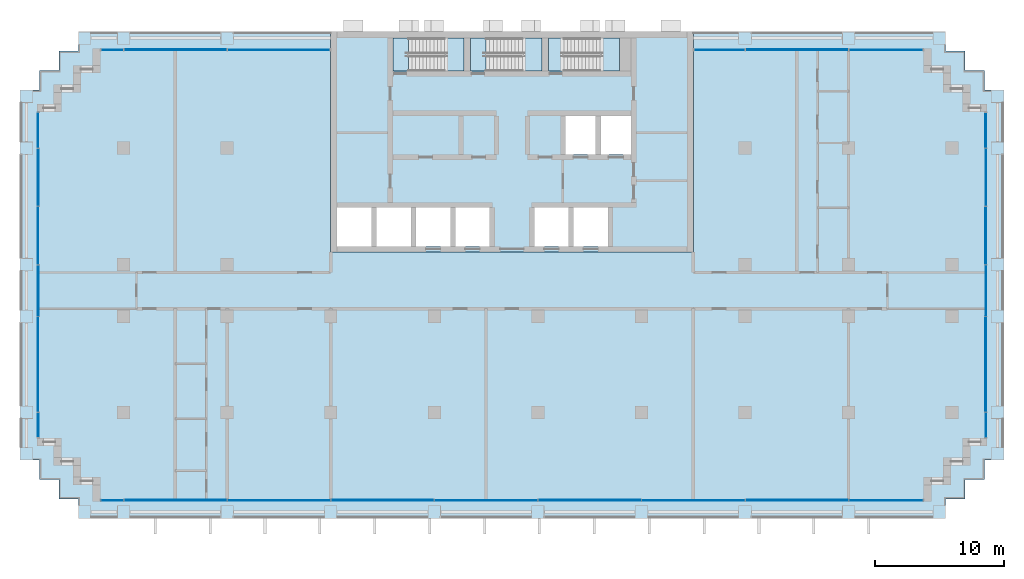
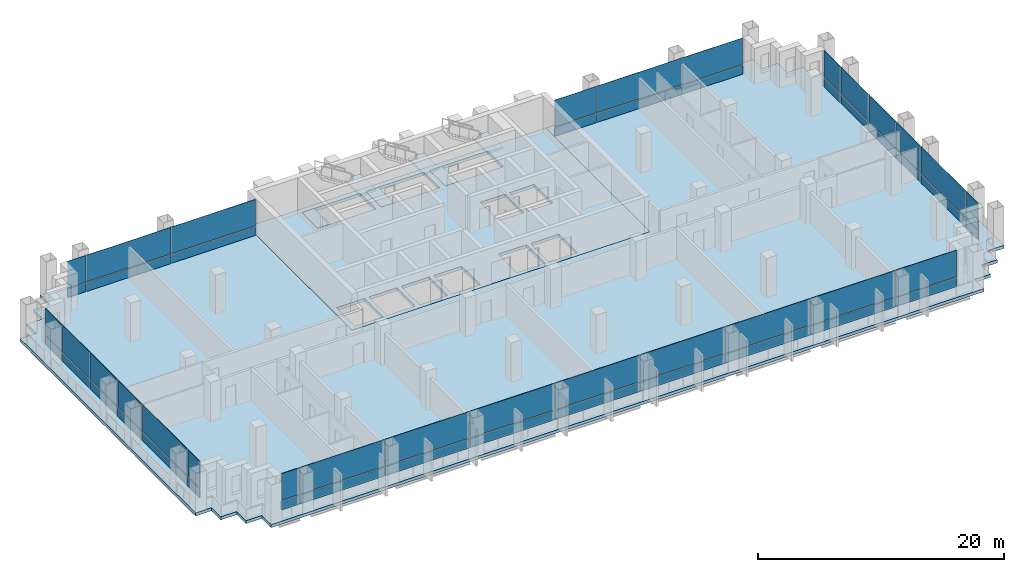
# One storey, part 6 of 13: 54 plates, 8 slabs, 8 elements without a shape of their own.
"""IFC4 building model written with IfcOpenShell, lengths in metres."""

from ifc_helpers import new_model, si_unit, direction, frame, origin, origin_2d, place, context, subcontext, project, spatial, polyline, rectangle, outline, extrude, material, layer, layer_set, type_object, element, aggregate, save


model = new_model("IFC4")

# Units and contexts
model_context = context("Model", 3, precision=1e-05, world=origin(), true_north=direction((0.0, 1.0)))
body_context = subcontext(model_context, "Body", "Model", "MODEL_VIEW")
ifc_project = project(units=[si_unit("LENGTHUNIT", "METRE"), si_unit("AREAUNIT", "SQUARE_METRE"), si_unit("VOLUMEUNIT", "CUBIC_METRE"), si_unit("PLANEANGLEUNIT", "RADIAN"), si_unit("MASSUNIT", "GRAM", prefix="KILO")], contexts=[model_context])

# Site, building, storey
site_placement = place(None, origin())
site = spatial("IfcSite", under=ifc_project, at=site_placement, CompositionType="ELEMENT")
building_placement = place(site_placement, origin())
building = spatial("IfcBuilding", under=site, at=building_placement, Name="Vidyagriha Tower", CompositionType="ELEMENT")
storey_placement = place(building_placement, frame((0.0, 0.0, 33.800048828125)))
storey = spatial("IfcBuildingStorey", under=building, at=storey_placement, Name="L08", CompositionType="ELEMENT", Elevation=33.800048828125)

# Curtain wall, plates
ifc_material_1 = material(Name="Aluminium and glass curtain wall", Category="aluminium")
curtain_wall_type = type_object("IfcCurtainWallType", Name="Classroom skin unitised curtain wall", PredefinedType="USERDEFINED", material=ifc_material_1)
curtain_wall_1_placement = place(storey_placement, origin())
curtain_wall_1 = element("IfcCurtainWall", 1, at=curtain_wall_1_placement, inside=storey, type_object=curtain_wall_type, Name="CW2 classroom skin", ObjectType="UNITISED", PredefinedType="USERDEFINED")
ifc_material_2 = material(Name="Glass dark ceramic-fritted spandrel", Category="glass")
ifc_layer_1 = layer(ifc_material_2, 0.0400390625)
ifc_layer_set_1 = layer_set([ifc_layer_1], Name="Glass dark ceramic-fritted spandrel")
plate_type_1 = type_object("IfcPlateType", Name="Ceramic-fritted spandrel panel", PredefinedType="CURTAIN_PANEL", material=ifc_layer_set_1)
plate_1_placement = place(storey_placement, frame((28.882568359375, 18.60009765625, 0.0), z_axis=(0.0, 0.0, 1.0), x_axis=(-1.0, 0.0, 0.0)))
plate_1 = element("IfcPlate", 2, at=plate_1_placement, type_object=plate_type_1, Name="CW2 panel 1.1", PredefinedType="CURTAIN_PANEL", context=body_context, shape_type="SweptSolid", body=[
    extrude(rectangle(XDim=5.695068359375, YDim=0.0400390625, at=origin_2d()), origin(), (0.0, 0.0, 1.0), 0.85009765625),
])
plate_2_placement = place(storey_placement, frame((16.017578125, 18.60009765625, 0.0), z_axis=(0.0, 0.0, 1.0), x_axis=(-1.0, 0.0, 0.0)))
plate_2 = element("IfcPlate", 3, at=plate_2_placement, type_object=plate_type_1, Name="CW2 panel 3.1", PredefinedType="CURTAIN_PANEL", context=body_context, shape_type="SweptSolid", body=[
    extrude(rectangle(XDim=3.89501953125, YDim=0.0400390625, at=origin_2d()), origin(), (0.0, 0.0, 1.0), 0.85009765625),
])

curtain_wall_2_placement = place(storey_placement, origin())
curtain_wall_2 = element("IfcCurtainWall", 4, at=curtain_wall_2_placement, inside=storey, type_object=curtain_wall_type, Name="CW2 classroom skin", ObjectType="UNITISED", PredefinedType="USERDEFINED")
plate_3_placement = place(storey_placement, frame((-18.017578125, 18.60009765625, 0.0), z_axis=(0.0, 0.0, 1.0), x_axis=(-1.0, 0.0, 0.0)))
plate_3 = element("IfcPlate", 5, at=plate_3_placement, type_object=plate_type_1, Name="CW2 panel 1.1", PredefinedType="CURTAIN_PANEL", context=body_context, shape_type="SweptSolid", body=[
    extrude(rectangle(XDim=7.89501953125, YDim=0.0400390625, at=origin_2d()), origin(), (0.0, 0.0, 1.0), 0.85009765625),
])
plate_4_placement = place(storey_placement, frame((-30.882568359375, 18.60009765625, 0.0), z_axis=(0.0, 0.0, 1.0), x_axis=(-1.0, 0.0, 0.0)))
plate_4 = element("IfcPlate", 6, at=plate_4_placement, type_object=plate_type_1, Name="CW2 panel 3.1", PredefinedType="CURTAIN_PANEL", context=body_context, shape_type="SweptSolid", body=[
    extrude(rectangle(XDim=1.695068359375, YDim=0.0400390625, at=origin_2d()), origin(), (0.0, 0.0, 1.0), 0.85009765625),
])

curtain_wall_3_placement = place(storey_placement, origin())
curtain_wall_3 = element("IfcCurtainWall", 7, at=curtain_wall_3_placement, inside=storey, type_object=curtain_wall_type, Name="CW2 classroom skin", ObjectType="UNITISED", PredefinedType="USERDEFINED")
plate_5_placement = place(storey_placement, frame((-36.60009765625, 12.382568359375, 0.0), z_axis=(0.0, 0.0, 1.0), x_axis=(0.0, -1.0, 0.0)))
plate_5 = element("IfcPlate", 8, at=plate_5_placement, type_object=plate_type_1, Name="CW2 panel 1.1", PredefinedType="CURTAIN_PANEL", context=body_context, shape_type="SweptSolid", body=[
    extrude(rectangle(XDim=2.695068359375, YDim=0.0400390625, at=origin_2d()), origin(), (0.0, 0.0, 1.0), 0.85009765625),
])
plate_6_placement = place(storey_placement, frame((-36.60009765625, 4.25, 0.0), z_axis=(0.0, 0.0, 1.0), x_axis=(0.0, -1.0, 0.0)))
plate_6 = element("IfcPlate", 9, at=plate_6_placement, type_object=plate_type_1, Name="CW2 panel 3.1", PredefinedType="CURTAIN_PANEL", context=body_context, shape_type="SweptSolid", body=[
    extrude(rectangle(XDim=4.429931640625, YDim=0.0400390625, at=origin_2d()), origin(), (0.0, 0.0, 1.0), 0.85009765625),
])
plate_7_placement = place(storey_placement, frame((-36.60009765625, -5.699951171875, 0.0), z_axis=(0.0, 0.0, 1.0), x_axis=(0.0, -1.0, 0.0)))
plate_7 = element("IfcPlate", 10, at=plate_7_placement, type_object=plate_type_1, Name="CW2 panel 5.1", PredefinedType="CURTAIN_PANEL", context=body_context, shape_type="SweptSolid", body=[
    extrude(rectangle(XDim=7.330078125, YDim=0.0400390625, at=origin_2d()), origin(), (0.0, 0.0, 1.0), 0.85009765625),
])

curtain_wall_4_placement = place(storey_placement, origin())
curtain_wall_4 = element("IfcCurtainWall", 11, at=curtain_wall_4_placement, inside=storey, type_object=curtain_wall_type, Name="CW2 classroom skin", ObjectType="UNITISED", PredefinedType="USERDEFINED")
plate_8_placement = place(storey_placement, frame((-30.882568359375, -16.199951171875, 0.0)))
plate_8 = element("IfcPlate", 12, at=plate_8_placement, type_object=plate_type_1, Name="CW2 panel 1.1", PredefinedType="CURTAIN_PANEL", context=body_context, shape_type="SweptSolid", body=[
    extrude(rectangle(XDim=1.695068359375, YDim=0.0400390625, at=origin_2d()), origin(), (0.0, 0.0, 1.0), 0.85009765625),
])
plate_9_placement = place(storey_placement, frame((-18.0, -16.199951171875, 0.0)))
plate_9 = element("IfcPlate", 13, at=plate_9_placement, type_object=plate_type_1, Name="CW2 panel 3.1", PredefinedType="CURTAIN_PANEL", context=body_context, shape_type="SweptSolid", body=[
    extrude(rectangle(XDim=7.929931640625, YDim=0.0400390625, at=origin_2d()), origin(), (0.0, 0.0, 1.0), 0.85009765625),
])
plate_10_placement = place(storey_placement, frame((-2.0, -16.199951171875, 0.0)))
plate_10 = element("IfcPlate", 14, at=plate_10_placement, type_object=plate_type_1, Name="CW2 panel 5.1", PredefinedType="CURTAIN_PANEL", context=body_context, shape_type="SweptSolid", body=[
    extrude(rectangle(XDim=7.929931640625, YDim=0.0400390625, at=origin_2d()), origin(), (0.0, 0.0, 1.0), 0.85009765625),
])
plate_11_placement = place(storey_placement, frame((14.0, -16.199951171875, 0.0)))
plate_11 = element("IfcPlate", 15, at=plate_11_placement, type_object=plate_type_1, Name="CW2 panel 7.1", PredefinedType="CURTAIN_PANEL", context=body_context, shape_type="SweptSolid", body=[
    extrude(rectangle(XDim=7.929931640625, YDim=0.0400390625, at=origin_2d()), origin(), (0.0, 0.0, 1.0), 0.85009765625),
])
plate_12_placement = place(storey_placement, frame((28.882568359375, -16.199951171875, 0.0)))
plate_12 = element("IfcPlate", 16, at=plate_12_placement, type_object=plate_type_1, Name="CW2 panel 9.1", PredefinedType="CURTAIN_PANEL", context=body_context, shape_type="SweptSolid", body=[
    extrude(rectangle(XDim=5.695068359375, YDim=0.0400390625, at=origin_2d()), origin(), (0.0, 0.0, 1.0), 0.85009765625),
])

curtain_wall_5_placement = place(storey_placement, origin())
curtain_wall_5 = element("IfcCurtainWall", 17, at=curtain_wall_5_placement, inside=storey, type_object=curtain_wall_type, Name="CW2 classroom skin", ObjectType="UNITISED", PredefinedType="USERDEFINED")
plate_13_placement = place(storey_placement, frame((36.60009765625, -10.382568359375, 0.0), z_axis=(0.0, 0.0, 1.0), x_axis=(0.0, 1.0, 0.0)))
plate_13 = element("IfcPlate", 18, at=plate_13_placement, type_object=plate_type_1, Name="CW2 panel 1.1", PredefinedType="CURTAIN_PANEL", context=body_context, shape_type="SweptSolid", body=[
    extrude(rectangle(XDim=1.89501953125, YDim=0.0400390625, at=origin_2d()), origin(), (0.0, 0.0, 1.0), 0.85009765625),
])
plate_14_placement = place(storey_placement, frame((36.60009765625, 0.0, 0.0), z_axis=(0.0, 0.0, 1.0), x_axis=(0.0, 1.0, 0.0)))
plate_14 = element("IfcPlate", 19, at=plate_14_placement, type_object=plate_type_1, Name="CW2 panel 3.1", PredefinedType="CURTAIN_PANEL", context=body_context, shape_type="SweptSolid", body=[
    extrude(rectangle(XDim=3.929931640625, YDim=0.0400390625, at=origin_2d()), origin(), (0.0, 0.0, 1.0), 0.85009765625),
])
plate_15_placement = place(storey_placement, frame((36.60009765625, 8.75, 0.0), z_axis=(0.0, 0.0, 1.0), x_axis=(0.0, 1.0, 0.0)))
plate_15 = element("IfcPlate", 20, at=plate_15_placement, type_object=plate_type_1, Name="CW2 panel 5.1", PredefinedType="CURTAIN_PANEL", context=body_context, shape_type="SweptSolid", body=[
    extrude(rectangle(XDim=4.429931640625, YDim=0.0400390625, at=origin_2d()), origin(), (0.0, 0.0, 1.0), 0.85009765625),
])

# Slab
ifc_material_3 = material(Name="Concrete C60/75", Category="concrete")
ifc_layer_2 = layer(ifc_material_3, 0.300048828125)
ifc_layer_set_2 = layer_set([ifc_layer_2], Name="Concrete C60/75")
slab_type_1 = type_object("IfcSlabType", Name="Core floor slab 300 mm", PredefinedType="FLOOR", material=ifc_layer_set_2)
slab_1_placement = place(storey_placement, frame((0.0, 0.0, -0.300048828125)))
element("IfcSlab", 21, at=slab_1_placement, inside=storey, type_object=slab_type_1, Name="L08 core floor 1", PredefinedType="FLOOR", context=body_context, shape_type="SweptSolid", body=[
    extrude(outline(polyline([(-14.0, 3.0), (-14.0, 20.0), (14.0, 20.0), (14.0, 3.0), (-14.0, 3.0)]), holes=[polyline([(9.199951171875, 13.5), (6.86669921875, 13.5), (6.86669921875, 10.5), (9.199951171875, 10.5), (9.199951171875, 13.5)]), polyline([(4.0, 19.5), (2.800048828125, 19.5), (2.800048828125, 16.949951171875), (4.0, 16.949951171875), (8.300048828125, 16.949951171875), (8.300048828125, 19.5), (4.0, 19.5)]), polyline([(7.4111328125, 6.39990234375), (4.7666015625, 6.39990234375), (4.7666015625, 3.39990234375), (7.4111328125, 3.39990234375), (7.4111328125, 6.39990234375)]), polyline([(6.466796875, 13.5), (4.13330078125, 13.5), (4.13330078125, 10.5), (6.466796875, 10.5), (6.466796875, 13.5)]), polyline([(1.72216796875, 6.39990234375), (1.72216796875, 3.39990234375), (4.36669921875, 3.39990234375), (4.36669921875, 6.39990234375), (1.72216796875, 6.39990234375)]), polyline([(-2.0, 16.949951171875), (2.300048828125, 16.949951171875), (2.300048828125, 19.5), (-2.0, 19.5), (-3.199951171875, 19.5), (-3.199951171875, 16.949951171875), (-2.0, 16.949951171875)]), polyline([(-1.72216796875, 6.39990234375), (-4.36669921875, 6.39990234375), (-4.36669921875, 3.39990234375), (-1.72216796875, 3.39990234375), (-1.72216796875, 6.39990234375)]), polyline([(-8.0, 19.5), (-9.199951171875, 19.5), (-9.199951171875, 16.949951171875), (-8.0, 16.949951171875), (-3.699951171875, 16.949951171875), (-3.699951171875, 19.5), (-8.0, 19.5)]), polyline([(-4.7666015625, 6.39990234375), (-7.4111328125, 6.39990234375), (-7.4111328125, 3.39990234375), (-4.7666015625, 3.39990234375), (-4.7666015625, 6.39990234375)]), polyline([(-7.81103515625, 6.39990234375), (-10.45556640625, 6.39990234375), (-10.45556640625, 3.39990234375), (-7.81103515625, 3.39990234375), (-7.81103515625, 6.39990234375)]), polyline([(-13.5, 6.39990234375), (-13.5, 3.39990234375), (-10.855712890625, 3.39990234375), (-10.855712890625, 6.39990234375), (-13.5, 6.39990234375)])]), origin(), (0.0, 0.0, 1.0), 0.300048828125),
])

# Plate
ifc_material_4 = material(Name="Glass dark ceramic-fritted", Category="glass")
ifc_layer_3 = layer(ifc_material_4, 0.028076171875)
ifc_layer_set_3 = layer_set([ifc_layer_3], Name="Glass dark ceramic-fritted")
plate_type_2 = type_object("IfcPlateType", Name="Dark ceramic-fritted vision glass panel", PredefinedType="CURTAIN_PANEL", material=ifc_layer_set_3)
plate_16_placement = place(storey_placement, frame((28.882568359375, 18.60009765625, 0.949951171875), z_axis=(0.0, 0.0, 1.0), x_axis=(-1.0, 0.0, 0.0)))
plate_16 = element("IfcPlate", 22, at=plate_16_placement, type_object=plate_type_2, Name="CW2 panel 1.2", PredefinedType="CURTAIN_PANEL", context=body_context, shape_type="SweptSolid", body=[
    extrude(rectangle(XDim=5.695068359375, YDim=0.028076171875, at=origin_2d()), origin(), (0.0, 0.0, 1.0), 2.64990234375),
])

plate_17_placement = place(storey_placement, frame((22.0, 18.60009765625, 0.949951171875), z_axis=(0.0, 0.0, 1.0), x_axis=(-1.0, 0.0, 0.0)))
plate_17 = element("IfcPlate", 23, at=plate_17_placement, type_object=plate_type_2, Name="CW2 panel 2.2", PredefinedType="CURTAIN_PANEL", context=body_context, shape_type="SweptSolid", body=[
    extrude(rectangle(XDim=7.929931640625, YDim=0.028076171875, at=origin_2d()), origin(), (0.0, 0.0, 1.0), 2.64990234375),
])

plate_18_placement = place(storey_placement, frame((16.017578125, 18.60009765625, 0.949951171875), z_axis=(0.0, 0.0, 1.0), x_axis=(-1.0, 0.0, 0.0)))
plate_18 = element("IfcPlate", 24, at=plate_18_placement, type_object=plate_type_2, Name="CW2 panel 3.2", PredefinedType="CURTAIN_PANEL", context=body_context, shape_type="SweptSolid", body=[
    extrude(rectangle(XDim=3.89501953125, YDim=0.028076171875, at=origin_2d()), origin(), (0.0, 0.0, 1.0), 2.64990234375),
])

plate_19_placement = place(storey_placement, frame((-18.017578125, 18.60009765625, 0.949951171875), z_axis=(0.0, 0.0, 1.0), x_axis=(-1.0, 0.0, 0.0)))
plate_19 = element("IfcPlate", 25, at=plate_19_placement, type_object=plate_type_2, Name="CW2 panel 1.2", PredefinedType="CURTAIN_PANEL", context=body_context, shape_type="SweptSolid", body=[
    extrude(rectangle(XDim=7.89501953125, YDim=0.028076171875, at=origin_2d()), origin(), (0.0, 0.0, 1.0), 2.64990234375),
])

plate_20_placement = place(storey_placement, frame((-26.0, 18.60009765625, 0.949951171875), z_axis=(0.0, 0.0, 1.0), x_axis=(-1.0, 0.0, 0.0)))
plate_20 = element("IfcPlate", 26, at=plate_20_placement, type_object=plate_type_2, Name="CW2 panel 2.2", PredefinedType="CURTAIN_PANEL", context=body_context, shape_type="SweptSolid", body=[
    extrude(rectangle(XDim=7.929931640625, YDim=0.028076171875, at=origin_2d()), origin(), (0.0, 0.0, 1.0), 2.64990234375),
])

plate_21_placement = place(storey_placement, frame((-30.882568359375, 18.60009765625, 0.949951171875), z_axis=(0.0, 0.0, 1.0), x_axis=(-1.0, 0.0, 0.0)))
plate_21 = element("IfcPlate", 27, at=plate_21_placement, type_object=plate_type_2, Name="CW2 panel 3.2", PredefinedType="CURTAIN_PANEL", context=body_context, shape_type="SweptSolid", body=[
    extrude(rectangle(XDim=1.695068359375, YDim=0.028076171875, at=origin_2d()), origin(), (0.0, 0.0, 1.0), 2.64990234375),
])

plate_22_placement = place(storey_placement, frame((-36.60009765625, 12.382568359375, 0.949951171875), z_axis=(0.0, 0.0, 1.0), x_axis=(0.0, -1.0, 0.0)))
plate_22 = element("IfcPlate", 28, at=plate_22_placement, type_object=plate_type_2, Name="CW2 panel 1.2", PredefinedType="CURTAIN_PANEL", context=body_context, shape_type="SweptSolid", body=[
    extrude(rectangle(XDim=2.695068359375, YDim=0.028076171875, at=origin_2d()), origin(), (0.0, 0.0, 1.0), 2.64990234375),
])

plate_23_placement = place(storey_placement, frame((-36.60009765625, 8.75, 0.949951171875), z_axis=(0.0, 0.0, 1.0), x_axis=(0.0, -1.0, 0.0)))
plate_23 = element("IfcPlate", 29, at=plate_23_placement, type_object=plate_type_2, Name="CW2 panel 2.2", PredefinedType="CURTAIN_PANEL", context=body_context, shape_type="SweptSolid", body=[
    extrude(rectangle(XDim=4.429931640625, YDim=0.028076171875, at=origin_2d()), origin(), (0.0, 0.0, 1.0), 2.64990234375),
])

plate_24_placement = place(storey_placement, frame((-36.60009765625, 4.25, 0.949951171875), z_axis=(0.0, 0.0, 1.0), x_axis=(0.0, -1.0, 0.0)))
plate_24 = element("IfcPlate", 30, at=plate_24_placement, type_object=plate_type_2, Name="CW2 panel 3.2", PredefinedType="CURTAIN_PANEL", context=body_context, shape_type="SweptSolid", body=[
    extrude(rectangle(XDim=4.429931640625, YDim=0.028076171875, at=origin_2d()), origin(), (0.0, 0.0, 1.0), 2.64990234375),
])

plate_25_placement = place(storey_placement, frame((-36.60009765625, 0.0, 0.949951171875), z_axis=(0.0, 0.0, 1.0), x_axis=(0.0, -1.0, 0.0)))
plate_25 = element("IfcPlate", 31, at=plate_25_placement, type_object=plate_type_2, Name="CW2 panel 4.2", PredefinedType="CURTAIN_PANEL", context=body_context, shape_type="SweptSolid", body=[
    extrude(rectangle(XDim=3.929931640625, YDim=0.028076171875, at=origin_2d()), origin(), (0.0, 0.0, 1.0), 2.64990234375),
])

plate_26_placement = place(storey_placement, frame((-36.60009765625, -5.699951171875, 0.949951171875), z_axis=(0.0, 0.0, 1.0), x_axis=(0.0, -1.0, 0.0)))
plate_26 = element("IfcPlate", 32, at=plate_26_placement, type_object=plate_type_2, Name="CW2 panel 5.2", PredefinedType="CURTAIN_PANEL", context=body_context, shape_type="SweptSolid", body=[
    extrude(rectangle(XDim=7.330078125, YDim=0.028076171875, at=origin_2d()), origin(), (0.0, 0.0, 1.0), 2.64990234375),
])

plate_27_placement = place(storey_placement, frame((-36.60009765625, -10.382568359375, 0.949951171875), z_axis=(0.0, 0.0, 1.0), x_axis=(0.0, -1.0, 0.0)))
plate_27 = element("IfcPlate", 33, at=plate_27_placement, type_object=plate_type_2, Name="CW2 panel 6.2", PredefinedType="CURTAIN_PANEL", context=body_context, shape_type="SweptSolid", body=[
    extrude(rectangle(XDim=1.89501953125, YDim=0.028076171875, at=origin_2d()), origin(), (0.0, 0.0, 1.0), 2.64990234375),
])

plate_28_placement = place(storey_placement, frame((-30.882568359375, -16.199951171875, 0.949951171875)))
plate_28 = element("IfcPlate", 34, at=plate_28_placement, type_object=plate_type_2, Name="CW2 panel 1.2", PredefinedType="CURTAIN_PANEL", context=body_context, shape_type="SweptSolid", body=[
    extrude(rectangle(XDim=1.695068359375, YDim=0.028076171875, at=origin_2d()), origin(), (0.0, 0.0, 1.0), 2.64990234375),
])

plate_29_placement = place(storey_placement, frame((-26.0, -16.199951171875, 0.949951171875)))
plate_29 = element("IfcPlate", 35, at=plate_29_placement, type_object=plate_type_2, Name="CW2 panel 2.2", PredefinedType="CURTAIN_PANEL", context=body_context, shape_type="SweptSolid", body=[
    extrude(rectangle(XDim=7.929931640625, YDim=0.028076171875, at=origin_2d()), origin(), (0.0, 0.0, 1.0), 2.64990234375),
])

plate_30_placement = place(storey_placement, frame((-18.0, -16.199951171875, 0.949951171875)))
plate_30 = element("IfcPlate", 36, at=plate_30_placement, type_object=plate_type_2, Name="CW2 panel 3.2", PredefinedType="CURTAIN_PANEL", context=body_context, shape_type="SweptSolid", body=[
    extrude(rectangle(XDim=7.929931640625, YDim=0.028076171875, at=origin_2d()), origin(), (0.0, 0.0, 1.0), 2.64990234375),
])

plate_31_placement = place(storey_placement, frame((-10.0, -16.199951171875, 0.949951171875)))
plate_31 = element("IfcPlate", 37, at=plate_31_placement, type_object=plate_type_2, Name="CW2 panel 4.2", PredefinedType="CURTAIN_PANEL", context=body_context, shape_type="SweptSolid", body=[
    extrude(rectangle(XDim=7.929931640625, YDim=0.028076171875, at=origin_2d()), origin(), (0.0, 0.0, 1.0), 2.64990234375),
])

plate_32_placement = place(storey_placement, frame((-2.0, -16.199951171875, 0.949951171875)))
plate_32 = element("IfcPlate", 38, at=plate_32_placement, type_object=plate_type_2, Name="CW2 panel 5.2", PredefinedType="CURTAIN_PANEL", context=body_context, shape_type="SweptSolid", body=[
    extrude(rectangle(XDim=7.929931640625, YDim=0.028076171875, at=origin_2d()), origin(), (0.0, 0.0, 1.0), 2.64990234375),
])

plate_33_placement = place(storey_placement, frame((6.0, -16.199951171875, 0.949951171875)))
plate_33 = element("IfcPlate", 39, at=plate_33_placement, type_object=plate_type_2, Name="CW2 panel 6.2", PredefinedType="CURTAIN_PANEL", context=body_context, shape_type="SweptSolid", body=[
    extrude(rectangle(XDim=7.929931640625, YDim=0.028076171875, at=origin_2d()), origin(), (0.0, 0.0, 1.0), 2.64990234375),
])

plate_34_placement = place(storey_placement, frame((14.0, -16.199951171875, 0.949951171875)))
plate_34 = element("IfcPlate", 40, at=plate_34_placement, type_object=plate_type_2, Name="CW2 panel 7.2", PredefinedType="CURTAIN_PANEL", context=body_context, shape_type="SweptSolid", body=[
    extrude(rectangle(XDim=7.929931640625, YDim=0.028076171875, at=origin_2d()), origin(), (0.0, 0.0, 1.0), 2.64990234375),
])

plate_35_placement = place(storey_placement, frame((22.0, -16.199951171875, 0.949951171875)))
plate_35 = element("IfcPlate", 41, at=plate_35_placement, type_object=plate_type_2, Name="CW2 panel 8.2", PredefinedType="CURTAIN_PANEL", context=body_context, shape_type="SweptSolid", body=[
    extrude(rectangle(XDim=7.929931640625, YDim=0.028076171875, at=origin_2d()), origin(), (0.0, 0.0, 1.0), 2.64990234375),
])

plate_36_placement = place(storey_placement, frame((28.882568359375, -16.199951171875, 0.949951171875)))
plate_36 = element("IfcPlate", 42, at=plate_36_placement, type_object=plate_type_2, Name="CW2 panel 9.2", PredefinedType="CURTAIN_PANEL", context=body_context, shape_type="SweptSolid", body=[
    extrude(rectangle(XDim=5.695068359375, YDim=0.028076171875, at=origin_2d()), origin(), (0.0, 0.0, 1.0), 2.64990234375),
])

plate_37_placement = place(storey_placement, frame((36.60009765625, -10.382568359375, 0.949951171875), z_axis=(0.0, 0.0, 1.0), x_axis=(0.0, 1.0, 0.0)))
plate_37 = element("IfcPlate", 43, at=plate_37_placement, type_object=plate_type_2, Name="CW2 panel 1.2", PredefinedType="CURTAIN_PANEL", context=body_context, shape_type="SweptSolid", body=[
    extrude(rectangle(XDim=1.89501953125, YDim=0.028076171875, at=origin_2d()), origin(), (0.0, 0.0, 1.0), 2.64990234375),
])

plate_38_placement = place(storey_placement, frame((36.60009765625, -5.699951171875, 0.949951171875), z_axis=(0.0, 0.0, 1.0), x_axis=(0.0, 1.0, 0.0)))
plate_38 = element("IfcPlate", 44, at=plate_38_placement, type_object=plate_type_2, Name="CW2 panel 2.2", PredefinedType="CURTAIN_PANEL", context=body_context, shape_type="SweptSolid", body=[
    extrude(rectangle(XDim=7.330078125, YDim=0.028076171875, at=origin_2d()), origin(), (0.0, 0.0, 1.0), 2.64990234375),
])

plate_39_placement = place(storey_placement, frame((36.60009765625, 0.0, 0.949951171875), z_axis=(0.0, 0.0, 1.0), x_axis=(0.0, 1.0, 0.0)))
plate_39 = element("IfcPlate", 45, at=plate_39_placement, type_object=plate_type_2, Name="CW2 panel 3.2", PredefinedType="CURTAIN_PANEL", context=body_context, shape_type="SweptSolid", body=[
    extrude(rectangle(XDim=3.929931640625, YDim=0.028076171875, at=origin_2d()), origin(), (0.0, 0.0, 1.0), 2.64990234375),
])

plate_40_placement = place(storey_placement, frame((36.60009765625, 4.25, 0.949951171875), z_axis=(0.0, 0.0, 1.0), x_axis=(0.0, 1.0, 0.0)))
plate_40 = element("IfcPlate", 46, at=plate_40_placement, type_object=plate_type_2, Name="CW2 panel 4.2", PredefinedType="CURTAIN_PANEL", context=body_context, shape_type="SweptSolid", body=[
    extrude(rectangle(XDim=4.429931640625, YDim=0.028076171875, at=origin_2d()), origin(), (0.0, 0.0, 1.0), 2.64990234375),
])

plate_41_placement = place(storey_placement, frame((36.60009765625, 8.75, 0.949951171875), z_axis=(0.0, 0.0, 1.0), x_axis=(0.0, 1.0, 0.0)))
plate_41 = element("IfcPlate", 47, at=plate_41_placement, type_object=plate_type_2, Name="CW2 panel 5.2", PredefinedType="CURTAIN_PANEL", context=body_context, shape_type="SweptSolid", body=[
    extrude(rectangle(XDim=4.429931640625, YDim=0.028076171875, at=origin_2d()), origin(), (0.0, 0.0, 1.0), 2.64990234375),
])

plate_42_placement = place(storey_placement, frame((36.60009765625, 12.382568359375, 0.949951171875), z_axis=(0.0, 0.0, 1.0), x_axis=(0.0, 1.0, 0.0)))
plate_42 = element("IfcPlate", 48, at=plate_42_placement, type_object=plate_type_2, Name="CW2 panel 6.2", PredefinedType="CURTAIN_PANEL", context=body_context, shape_type="SweptSolid", body=[
    extrude(rectangle(XDim=2.695068359375, YDim=0.028076171875, at=origin_2d()), origin(), (0.0, 0.0, 1.0), 2.64990234375),
])

# Slabs
ifc_material_5 = material(Name="Concrete C40/50", Category="concrete")
ifc_layer_4 = layer(ifc_material_5, 0.300048828125)
ifc_layer_set_4 = layer_set([ifc_layer_4], Name="Concrete C40/50")
slab_type_2 = type_object("IfcSlabType", Name="Exit stair floor landing 300 mm", PredefinedType="LANDING", material=ifc_layer_set_4)
slab_2_placement = place(storey_placement, frame((0.0, 0.0, -0.300048828125)))
element("IfcSlab", 49, at=slab_2_placement, inside=storey, type_object=slab_type_2, Name="ST1 floor landing L08", PredefinedType="LANDING", context=body_context, shape_type="SweptSolid", body=[
    extrude(outline(polyline([(-9.199951171875, 16.949951171875), (-8.0, 16.949951171875), (-8.0, 19.5), (-9.199951171875, 19.5), (-9.199951171875, 16.949951171875)])), origin(), (0.0, 0.0, 1.0), 0.300048828125),
])
slab_3_placement = place(storey_placement, frame((0.0, 0.0, -0.300048828125)))
element("IfcSlab", 50, at=slab_3_placement, inside=storey, type_object=slab_type_2, Name="ST2 floor landing L08", PredefinedType="LANDING", context=body_context, shape_type="SweptSolid", body=[
    extrude(outline(polyline([(-3.199951171875, 16.949951171875), (-2.0, 16.949951171875), (-2.0, 19.5), (-3.199951171875, 19.5), (-3.199951171875, 16.949951171875)])), origin(), (0.0, 0.0, 1.0), 0.300048828125),
])
slab_4_placement = place(storey_placement, frame((0.0, 0.0, -0.300048828125)))
element("IfcSlab", 51, at=slab_4_placement, inside=storey, type_object=slab_type_2, Name="ST3 floor landing L08", PredefinedType="LANDING", context=body_context, shape_type="SweptSolid", body=[
    extrude(outline(polyline([(2.800048828125, 16.949951171875), (4.0, 16.949951171875), (4.0, 19.5), (2.800048828125, 19.5), (2.800048828125, 16.949951171875)])), origin(), (0.0, 0.0, 1.0), 0.300048828125),
])

# Stair, slab
ifc_material_6 = material(Name="Concrete C40/50", Category="concrete")
stair_type = type_object("IfcStairType", Name="Exit stair, half-turn, precast flights", PredefinedType="HALF_TURN_STAIR", material=ifc_material_6)
stair_1_placement = place(storey_placement, origin())
stair_1 = element("IfcStair", 52, at=stair_1_placement, inside=storey, type_object=stair_type, Name="L08 Exit Stair ST1", PredefinedType="HALF_TURN_STAIR")
ifc_material_7 = material(Name="Concrete C40/50", Category="concrete")
ifc_layer_5 = layer(ifc_material_7, 0.199951171875)
ifc_layer_set_5 = layer_set([ifc_layer_5], Name="Concrete C40/50")
slab_type_3 = type_object("IfcSlabType", Name="Exit stair landing 200 mm", PredefinedType="LANDING", material=ifc_layer_set_5)
slab_5_placement = place(storey_placement, frame((0.0, 0.0, 1.75)))
slab_5 = element("IfcSlab", 53, at=slab_5_placement, type_object=slab_type_3, Name="ST1 landing 1", PredefinedType="LANDING", context=body_context, shape_type="SweptSolid", body=[
    extrude(outline(polyline([(-5.199951171875, 16.949951171875), (-3.699951171875, 16.949951171875), (-3.699951171875, 19.5), (-5.199951171875, 19.5), (-5.199951171875, 16.949951171875)])), origin(), (0.0, 0.0, 1.0), 0.199951171875),
])
aggregate(stair_1, [slab_5])

stair_2_placement = place(storey_placement, origin())
stair_2 = element("IfcStair", 54, at=stair_2_placement, inside=storey, type_object=stair_type, Name="L08 Exit Stair ST2", PredefinedType="HALF_TURN_STAIR")
slab_6_placement = place(storey_placement, frame((0.0, 0.0, 1.75)))
slab_6 = element("IfcSlab", 55, at=slab_6_placement, type_object=slab_type_3, Name="ST2 landing 1", PredefinedType="LANDING", context=body_context, shape_type="SweptSolid", body=[
    extrude(outline(polyline([(0.800048828125, 16.949951171875), (2.300048828125, 16.949951171875), (2.300048828125, 19.5), (0.800048828125, 19.5), (0.800048828125, 16.949951171875)])), origin(), (0.0, 0.0, 1.0), 0.199951171875),
])
aggregate(stair_2, [slab_6])

stair_3_placement = place(storey_placement, origin())
stair_3 = element("IfcStair", 56, at=stair_3_placement, inside=storey, type_object=stair_type, Name="L08 Exit Stair ST3", PredefinedType="HALF_TURN_STAIR")
slab_7_placement = place(storey_placement, frame((0.0, 0.0, 1.75)))
slab_7 = element("IfcSlab", 57, at=slab_7_placement, type_object=slab_type_3, Name="ST3 landing 1", PredefinedType="LANDING", context=body_context, shape_type="SweptSolid", body=[
    extrude(outline(polyline([(6.800048828125, 16.949951171875), (8.300048828125, 16.949951171875), (8.300048828125, 19.5), (6.800048828125, 19.5), (6.800048828125, 16.949951171875)])), origin(), (0.0, 0.0, 1.0), 0.199951171875),
])
aggregate(stair_3, [slab_7])

# Plate
ifc_material_8 = material(Name="Aluminium black anodised", Category="aluminium")
ifc_layer_6 = layer(ifc_material_8, 0.06005859375)
ifc_layer_set_6 = layer_set([ifc_layer_6], Name="Aluminium black anodised")
plate_type_3 = type_object("IfcPlateType", Name="Operable black-metal vent panel", PredefinedType="CURTAIN_PANEL", material=ifc_layer_set_6)
plate_43_placement = place(storey_placement, frame((22.0, 18.60009765625, 0.0), z_axis=(0.0, 0.0, 1.0), x_axis=(-1.0, 0.0, 0.0)))
plate_43 = element("IfcPlate", 58, at=plate_43_placement, type_object=plate_type_3, Name="CW2 panel 2.1", PredefinedType="CURTAIN_PANEL", context=body_context, shape_type="SweptSolid", body=[
    extrude(rectangle(XDim=7.929931640625, YDim=0.06005859375, at=origin_2d()), origin(), (0.0, 0.0, 1.0), 0.85009765625),
])

aggregate(curtain_wall_1, [plate_1, plate_16, plate_43, plate_17, plate_2, plate_18])

plate_44_placement = place(storey_placement, frame((-26.0, 18.60009765625, 0.0), z_axis=(0.0, 0.0, 1.0), x_axis=(-1.0, 0.0, 0.0)))
plate_44 = element("IfcPlate", 59, at=plate_44_placement, type_object=plate_type_3, Name="CW2 panel 2.1", PredefinedType="CURTAIN_PANEL", context=body_context, shape_type="SweptSolid", body=[
    extrude(rectangle(XDim=7.929931640625, YDim=0.06005859375, at=origin_2d()), origin(), (0.0, 0.0, 1.0), 0.85009765625),
])

aggregate(curtain_wall_2, [plate_3, plate_19, plate_44, plate_20, plate_4, plate_21])

plate_45_placement = place(storey_placement, frame((-36.60009765625, 8.75, 0.0), z_axis=(0.0, 0.0, 1.0), x_axis=(0.0, -1.0, 0.0)))
plate_45 = element("IfcPlate", 60, at=plate_45_placement, type_object=plate_type_3, Name="CW2 panel 2.1", PredefinedType="CURTAIN_PANEL", context=body_context, shape_type="SweptSolid", body=[
    extrude(rectangle(XDim=4.429931640625, YDim=0.06005859375, at=origin_2d()), origin(), (0.0, 0.0, 1.0), 0.85009765625),
])

plate_46_placement = place(storey_placement, frame((-36.60009765625, 0.0, 0.0), z_axis=(0.0, 0.0, 1.0), x_axis=(0.0, -1.0, 0.0)))
plate_46 = element("IfcPlate", 61, at=plate_46_placement, type_object=plate_type_3, Name="CW2 panel 4.1", PredefinedType="CURTAIN_PANEL", context=body_context, shape_type="SweptSolid", body=[
    extrude(rectangle(XDim=3.929931640625, YDim=0.06005859375, at=origin_2d()), origin(), (0.0, 0.0, 1.0), 0.85009765625),
])

plate_47_placement = place(storey_placement, frame((-36.60009765625, -10.382568359375, 0.0), z_axis=(0.0, 0.0, 1.0), x_axis=(0.0, -1.0, 0.0)))
plate_47 = element("IfcPlate", 62, at=plate_47_placement, type_object=plate_type_3, Name="CW2 panel 6.1", PredefinedType="CURTAIN_PANEL", context=body_context, shape_type="SweptSolid", body=[
    extrude(rectangle(XDim=1.89501953125, YDim=0.06005859375, at=origin_2d()), origin(), (0.0, 0.0, 1.0), 0.85009765625),
])

aggregate(curtain_wall_3, [plate_5, plate_22, plate_45, plate_23, plate_6, plate_24, plate_46, plate_25, plate_7, plate_26, plate_47, plate_27])

plate_48_placement = place(storey_placement, frame((-26.0, -16.199951171875, 0.0)))
plate_48 = element("IfcPlate", 63, at=plate_48_placement, type_object=plate_type_3, Name="CW2 panel 2.1", PredefinedType="CURTAIN_PANEL", context=body_context, shape_type="SweptSolid", body=[
    extrude(rectangle(XDim=7.929931640625, YDim=0.06005859375, at=origin_2d()), origin(), (0.0, 0.0, 1.0), 0.85009765625),
])

plate_49_placement = place(storey_placement, frame((-10.0, -16.199951171875, 0.0)))
plate_49 = element("IfcPlate", 64, at=plate_49_placement, type_object=plate_type_3, Name="CW2 panel 4.1", PredefinedType="CURTAIN_PANEL", context=body_context, shape_type="SweptSolid", body=[
    extrude(rectangle(XDim=7.929931640625, YDim=0.06005859375, at=origin_2d()), origin(), (0.0, 0.0, 1.0), 0.85009765625),
])

plate_50_placement = place(storey_placement, frame((6.0, -16.199951171875, 0.0)))
plate_50 = element("IfcPlate", 65, at=plate_50_placement, type_object=plate_type_3, Name="CW2 panel 6.1", PredefinedType="CURTAIN_PANEL", context=body_context, shape_type="SweptSolid", body=[
    extrude(rectangle(XDim=7.929931640625, YDim=0.06005859375, at=origin_2d()), origin(), (0.0, 0.0, 1.0), 0.85009765625),
])

plate_51_placement = place(storey_placement, frame((22.0, -16.199951171875, 0.0)))
plate_51 = element("IfcPlate", 66, at=plate_51_placement, type_object=plate_type_3, Name="CW2 panel 8.1", PredefinedType="CURTAIN_PANEL", context=body_context, shape_type="SweptSolid", body=[
    extrude(rectangle(XDim=7.929931640625, YDim=0.06005859375, at=origin_2d()), origin(), (0.0, 0.0, 1.0), 0.85009765625),
])

aggregate(curtain_wall_4, [plate_8, plate_28, plate_48, plate_29, plate_9, plate_30, plate_49, plate_31, plate_10, plate_32, plate_50, plate_33, plate_11, plate_34, plate_51, plate_35, plate_12, plate_36])

plate_52_placement = place(storey_placement, frame((36.60009765625, -5.699951171875, 0.0), z_axis=(0.0, 0.0, 1.0), x_axis=(0.0, 1.0, 0.0)))
plate_52 = element("IfcPlate", 67, at=plate_52_placement, type_object=plate_type_3, Name="CW2 panel 2.1", PredefinedType="CURTAIN_PANEL", context=body_context, shape_type="SweptSolid", body=[
    extrude(rectangle(XDim=7.330078125, YDim=0.06005859375, at=origin_2d()), origin(), (0.0, 0.0, 1.0), 0.85009765625),
])

plate_53_placement = place(storey_placement, frame((36.60009765625, 4.25, 0.0), z_axis=(0.0, 0.0, 1.0), x_axis=(0.0, 1.0, 0.0)))
plate_53 = element("IfcPlate", 68, at=plate_53_placement, type_object=plate_type_3, Name="CW2 panel 4.1", PredefinedType="CURTAIN_PANEL", context=body_context, shape_type="SweptSolid", body=[
    extrude(rectangle(XDim=4.429931640625, YDim=0.06005859375, at=origin_2d()), origin(), (0.0, 0.0, 1.0), 0.85009765625),
])

plate_54_placement = place(storey_placement, frame((36.60009765625, 12.382568359375, 0.0), z_axis=(0.0, 0.0, 1.0), x_axis=(0.0, 1.0, 0.0)))
plate_54 = element("IfcPlate", 69, at=plate_54_placement, type_object=plate_type_3, Name="CW2 panel 6.1", PredefinedType="CURTAIN_PANEL", context=body_context, shape_type="SweptSolid", body=[
    extrude(rectangle(XDim=2.695068359375, YDim=0.06005859375, at=origin_2d()), origin(), (0.0, 0.0, 1.0), 0.85009765625),
])

aggregate(curtain_wall_5, [plate_13, plate_37, plate_52, plate_38, plate_14, plate_39, plate_53, plate_40, plate_15, plate_41, plate_54, plate_42])

# Slab
ifc_material_9 = material(Name="Concrete C50/60", Category="concrete")
ifc_layer_7 = layer(ifc_material_9, 0.300048828125)
ifc_layer_set_7 = layer_set([ifc_layer_7], Name="Concrete C50/60")
slab_type_4 = type_object("IfcSlabType", Name="Post-tensioned flat plate 300", PredefinedType="FLOOR", material=ifc_layer_set_7)
slab_8_placement = place(storey_placement, frame((0.0, 0.0, -0.300048828125)))
element("IfcSlab", 70, at=slab_8_placement, inside=storey, type_object=slab_type_4, Name="st-slab-L08-1", PredefinedType="FLOOR", context=body_context, shape_type="SweptSolid", body=[
    extrude(outline(polyline([(36.5, -13.10009765625), (36.5, -14.60009765625), (35.0, -14.60009765625), (35.0, -16.10009765625), (33.5, -16.10009765625), (33.5, -17.60009765625), (-33.5, -17.60009765625), (-33.5, -16.10009765625), (-35.0, -16.10009765625), (-35.0, -14.60009765625), (-36.5, -14.60009765625), (-36.5, -13.10009765625), (-38.0, -13.10009765625), (-38.0, 15.5), (-36.5, 15.5), (-36.5, 17.0), (-35.0, 17.0), (-35.0, 18.5), (-33.5, 18.5), (-33.5, 20.0), (-14.0, 20.0), (-14.0, 3.0), (14.0, 3.0), (14.0, 20.0), (33.5, 20.0), (33.5, 18.5), (35.0, 18.5), (35.0, 17.0), (36.5, 17.0), (36.5, 15.5), (38.0, 15.5), (38.0, -13.10009765625), (36.5, -13.10009765625)])), origin(), (0.0, 0.0, 1.0), 0.300048828125),
])

save(model, "model.ifc")
